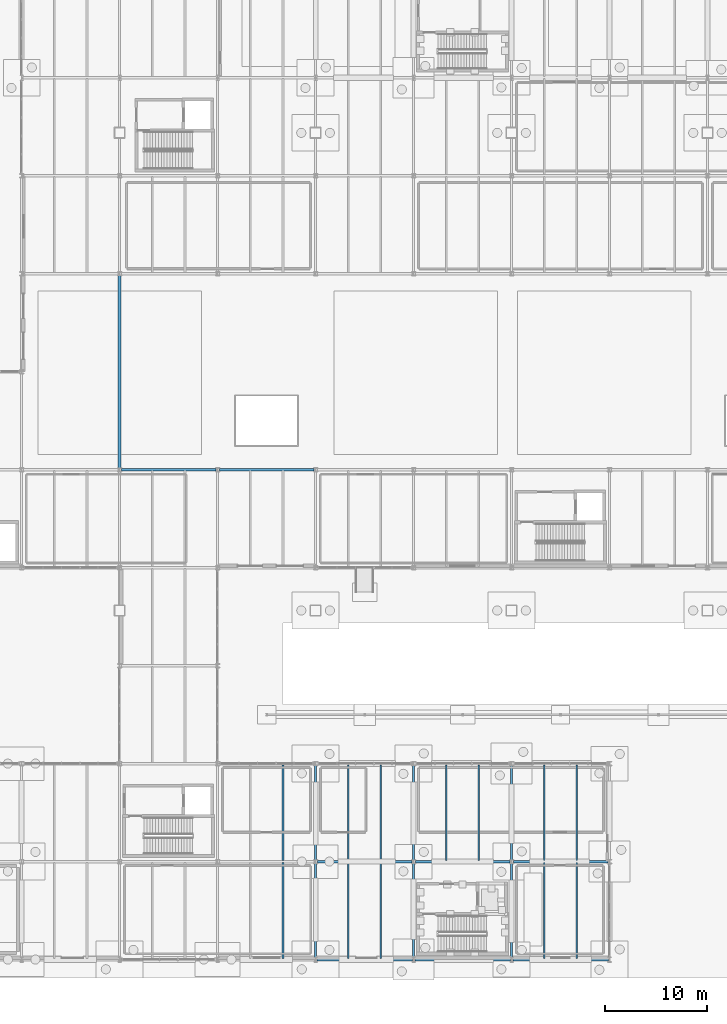
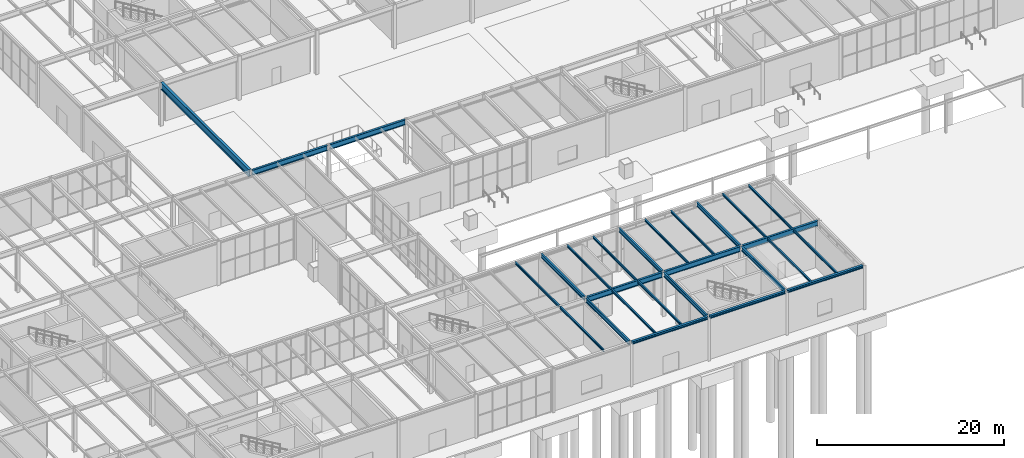
# One storey, part 60 of 142: 27 beams.
"""IFC4 building model written with IfcOpenShell, lengths in metres."""

from ifc_helpers import new_model, si_unit, direction, frame, origin, origin_2d, place, context, subcontext, project, spatial, i_section, extrude, material, material_profile, profile_set, type_object, element, save


model = new_model("IFC4")

# Units and contexts
model_context = context("Model", 3, precision=1e-05, world=origin(), true_north=direction((0.0, 1.0)))
body_context = subcontext(model_context, "Body", "Model", "MODEL_VIEW")
ifc_project = project(units=[si_unit("LENGTHUNIT", "METRE"), si_unit("AREAUNIT", "SQUARE_METRE"), si_unit("VOLUMEUNIT", "CUBIC_METRE"), si_unit("PLANEANGLEUNIT", "RADIAN"), si_unit("MASSUNIT", "GRAM", prefix="KILO")], contexts=[model_context])

# Site, building, storey
site_placement = place(None, origin())
site = spatial("IfcSite", under=ifc_project, at=site_placement, CompositionType="ELEMENT")
building_placement = place(site_placement, origin())
building = spatial("IfcBuilding", under=site, at=building_placement, Name="Coralgate Yard Interchange", CompositionType="ELEMENT")
storey_placement = place(building_placement, origin())
storey = spatial("IfcBuildingStorey", under=building, at=storey_placement, Name="L00", CompositionType="ELEMENT", Elevation=0.0)

# Beams
ifc_material = material(Name="Structural steel S355J2", Category="steel")
ifc_material_profile_1 = material_profile(ifc_material, i_section(OverallWidth=0.209228515625, OverallDepth=0.533203125, WebThickness=0.010009765625, FlangeThickness=0.015625, FilletRadius=0.0126953125, at=origin_2d()), Name="UB 533x210x92")
ifc_profile_set_1 = profile_set([ifc_material_profile_1], Name="Structural steel S355J2")
beam_type_1 = type_object("IfcBeamType", Name="BM-SB-1", PredefinedType="BEAM", material=ifc_profile_set_1)
beam_1_placement = place(storey_placement, frame((67.199951171875, 0.219970703125, 5.4833984375), z_axis=(0.0, 1.0, 0.0), x_axis=(-1.0, 0.0, 0.0)))
element("IfcBeam", 1, at=beam_1_placement, inside=storey, type_object=beam_type_1, Name="L00 primary grid girder X7 Y0-1", PredefinedType="BEAM", context=body_context, shape_type="SweptSolid", body=[
    extrude(i_section(OverallWidth=0.209228515625, OverallDepth=0.533203125, WebThickness=0.010009765625, FlangeThickness=0.015625, FilletRadius=0.0126953125, at=origin_2d()), origin(), (0.0, 0.0, 1.0), 9.213134765625),
])
beam_2_placement = place(storey_placement, frame((67.199951171875, 9.766845703125, 5.4833984375), z_axis=(0.0, 1.0, 0.0), x_axis=(-1.0, 0.0, 0.0)))
element("IfcBeam", 2, at=beam_2_placement, inside=storey, type_object=beam_type_1, Name="L00 primary grid girder X7 Y1-2", PredefinedType="BEAM", context=body_context, shape_type="SweptSolid", body=[
    extrude(i_section(OverallWidth=0.209228515625, OverallDepth=0.533203125, WebThickness=0.010009765625, FlangeThickness=0.015625, FilletRadius=0.0126953125, at=origin_2d()), origin(), (0.0, 0.0, 1.0), 9.266357421875),
])
beam_3_placement = place(storey_placement, frame((76.800048828125, 0.219970703125, 5.4833984375), z_axis=(0.0, 1.0, 0.0), x_axis=(-1.0, 0.0, 0.0)))
element("IfcBeam", 3, at=beam_3_placement, inside=storey, type_object=beam_type_1, Name="L00 primary grid girder X8 Y0-1", PredefinedType="BEAM", context=body_context, shape_type="SweptSolid", body=[
    extrude(i_section(OverallWidth=0.209228515625, OverallDepth=0.533203125, WebThickness=0.010009765625, FlangeThickness=0.015625, FilletRadius=0.0126953125, at=origin_2d()), origin(), (0.0, 0.0, 1.0), 9.213134765625),
])
beam_4_placement = place(storey_placement, frame((76.800048828125, 9.766845703125, 5.4833984375), z_axis=(0.0, 1.0, 0.0), x_axis=(-1.0, 0.0, 0.0)))
element("IfcBeam", 4, at=beam_4_placement, inside=storey, type_object=beam_type_1, Name="L00 primary grid girder X8 Y1-2", PredefinedType="BEAM", context=body_context, shape_type="SweptSolid", body=[
    extrude(i_section(OverallWidth=0.209228515625, OverallDepth=0.533203125, WebThickness=0.010009765625, FlangeThickness=0.015625, FilletRadius=0.0126953125, at=origin_2d()), origin(), (0.0, 0.0, 1.0), 9.266357421875),
])
beam_5_placement = place(storey_placement, frame((86.39990234375, 0.219970703125, 5.4833984375), z_axis=(0.0, 1.0, 0.0), x_axis=(-1.0, 0.0, 0.0)))
element("IfcBeam", 5, at=beam_5_placement, inside=storey, type_object=beam_type_1, Name="L00 primary grid girder X9 Y0-1", PredefinedType="BEAM", context=body_context, shape_type="SweptSolid", body=[
    extrude(i_section(OverallWidth=0.209228515625, OverallDepth=0.533203125, WebThickness=0.010009765625, FlangeThickness=0.015625, FilletRadius=0.0126953125, at=origin_2d()), origin(), (0.0, 0.0, 1.0), 9.213134765625),
])
beam_6_placement = place(storey_placement, frame((86.39990234375, 9.766845703125, 5.4833984375), z_axis=(0.0, 1.0, 0.0), x_axis=(-1.0, 0.0, 0.0)))
element("IfcBeam", 6, at=beam_6_placement, inside=storey, type_object=beam_type_1, Name="L00 primary grid girder X9 Y1-2", PredefinedType="BEAM", context=body_context, shape_type="SweptSolid", body=[
    extrude(i_section(OverallWidth=0.209228515625, OverallDepth=0.533203125, WebThickness=0.010009765625, FlangeThickness=0.015625, FilletRadius=0.0126953125, at=origin_2d()), origin(), (0.0, 0.0, 1.0), 9.266357421875),
])
ifc_material_profile_2 = material_profile(ifc_material, i_section(OverallWidth=0.305419921875, OverallDepth=0.91845703125, WebThickness=0.017333984375, FlangeThickness=0.02783203125, FilletRadius=0.01904296875, at=origin_2d()), Name="UB 914x305x253")
ifc_profile_set_2 = profile_set([ifc_material_profile_2], Name="Structural steel S355J2")
beam_type_2 = type_object("IfcBeamType", Name="BM-SG-1", PredefinedType="BEAM", material=ifc_profile_set_2)
beam_7_placement = place(storey_placement, frame((48.0, 48.166748046875, 5.290771484375), z_axis=(0.0, 1.0, 0.0), x_axis=(-1.0, 0.0, 0.0)))
element("IfcBeam", 7, at=beam_7_placement, inside=storey, type_object=beam_type_2, Name="L00 primary grid girder X5 Y5-7", PredefinedType="BEAM", context=body_context, shape_type="SweptSolid", body=[
    extrude(i_section(OverallWidth=0.305419921875, OverallDepth=0.91845703125, WebThickness=0.017333984375, FlangeThickness=0.02783203125, FilletRadius=0.01904296875, at=origin_2d()), origin(), (0.0, 0.0, 1.0), 18.866455078125),
])
ifc_material_profile_3 = material_profile(ifc_material, i_section(OverallWidth=0.253662109375, OverallDepth=0.68359375, WebThickness=0.012451171875, FlangeThickness=0.01904296875, FilletRadius=0.01513671875, at=origin_2d()), Name="UB 686x254x140")
ifc_profile_set_3 = profile_set([ifc_material_profile_3], Name="Structural steel S355J2")
beam_type_3 = type_object("IfcBeamType", Name="BM-SG-4", PredefinedType="BEAM", material=ifc_profile_set_3)
beam_8_placement = place(storey_placement, frame((67.369384765625, 9.60009765625, 5.408203125), z_axis=(1.0, 0.0, 0.0), x_axis=(0.0, 1.0, 0.0)))
element("IfcBeam", 8, at=beam_8_placement, inside=storey, type_object=beam_type_3, Name="L00 primary grid beam Y1 X7-8", PredefinedType="BEAM", context=body_context, shape_type="SweptSolid", body=[
    extrude(i_section(OverallWidth=0.253662109375, OverallDepth=0.68359375, WebThickness=0.012451171875, FlangeThickness=0.01904296875, FilletRadius=0.01513671875, at=origin_2d()), origin(), (0.0, 0.0, 1.0), 9.26123046875),
])
for number, where, z_axis, x_axis, name in (
    (9, (76.969482421875, 9.60009765625, 5.408203125), (1.0, 0.0, 0.0), (0.0, 1.0, 0.0), "L00 primary grid beam Y1 X8-9"),
    (10, (86.569580078125, 9.60009765625, 5.408203125), (1.0, 0.0, 0.0), (0.0, 1.0, 0.0), "L00 primary grid beam Y1 X9-10"),
    (11, (48.16943359375, 48.0, 5.408203125), (1.0, 0.0, 0.0), (0.0, 1.0, 0.0), "L00 primary grid beam Y5 X5-6"),
    (12, (57.76953125, 48.0, 5.408203125), (1.0, 0.0, 0.0), (0.0, 1.0, 0.0), "L00 primary grid beam Y5 X6-7"),
):
    element("IfcBeam", number, at=place(storey_placement, frame(where, z_axis=z_axis, x_axis=x_axis)), inside=storey, type_object=beam_type_3, Name=name, PredefinedType="BEAM", context=body_context, shape_type="SweptSolid", body=[
        extrude(i_section(OverallWidth=0.253662109375, OverallDepth=0.68359375, WebThickness=0.012451171875, FlangeThickness=0.01904296875, FilletRadius=0.01513671875, at=origin_2d()), origin(), (0.0, 0.0, 1.0), 9.260986328125),
    ])
ifc_material_profile_4 = material_profile(ifc_material, i_section(OverallWidth=0.1650390625, OverallDepth=0.303466796875, WebThickness=0.006103515625, FlangeThickness=0.01025390625, FilletRadius=0.0087890625, at=origin_2d()), Name="UB 305x165x40")
ifc_profile_set_4 = profile_set([ifc_material_profile_4], Name="Structural steel S355J2")
beam_type_4 = type_object("IfcBeamType", Name="BM-SJ-1", PredefinedType="JOIST", material=ifc_profile_set_4)
beam_9_placement = place(storey_placement, frame((64.0, 0.1201171875, 5.598388671875), z_axis=(0.0, 1.0, 0.0), x_axis=(-1.0, 0.0, 0.0)))
element("IfcBeam", 13, at=beam_9_placement, inside=storey, type_object=beam_type_4, Name="L00 composite floor joist 6-0-2", PredefinedType="JOIST", context=body_context, shape_type="SweptSolid", body=[
    extrude(i_section(OverallWidth=0.1650390625, OverallDepth=0.303466796875, WebThickness=0.006103515625, FlangeThickness=0.01025390625, FilletRadius=0.0087890625, at=origin_2d()), origin(), (0.0, 0.0, 1.0), 9.383056640625),
])
beam_10_placement = place(storey_placement, frame((64.0, 9.69677734375, 5.598388671875), z_axis=(0.0, 1.0, 0.0), x_axis=(-1.0, 0.0, 0.0)))
element("IfcBeam", 14, at=beam_10_placement, inside=storey, type_object=beam_type_4, Name="L00 composite floor joist 6-1-2", PredefinedType="JOIST", context=body_context, shape_type="SweptSolid", body=[
    extrude(i_section(OverallWidth=0.1650390625, OverallDepth=0.303466796875, WebThickness=0.006103515625, FlangeThickness=0.01025390625, FilletRadius=0.0087890625, at=origin_2d()), origin(), (0.0, 0.0, 1.0), 9.38330078125),
])
for number, where, z_axis, x_axis, name in (
    (15, (70.39990234375, 0.1201171875, 5.598388671875), (0.0, 1.0, 0.0), (-1.0, 0.0, 0.0), "L00 composite floor joist 7-0-1"),
    (16, (73.60009765625, 0.1201171875, 5.598388671875), (0.0, 1.0, 0.0), (-1.0, 0.0, 0.0), "L00 composite floor joist 7-0-2"),
):
    element("IfcBeam", number, at=place(storey_placement, frame(where, z_axis=z_axis, x_axis=x_axis)), inside=storey, type_object=beam_type_4, Name=name, PredefinedType="JOIST", context=body_context, shape_type="SweptSolid", body=[
        extrude(i_section(OverallWidth=0.1650390625, OverallDepth=0.303466796875, WebThickness=0.006103515625, FlangeThickness=0.01025390625, FilletRadius=0.0087890625, at=origin_2d()), origin(), (0.0, 0.0, 1.0), 9.383056640625),
    ])
for number, where, z_axis, x_axis, name in (
    (17, (70.39990234375, 9.69677734375, 5.598388671875), (0.0, 1.0, 0.0), (-1.0, 0.0, 0.0), "L00 composite floor joist 7-1-1"),
    (18, (73.60009765625, 9.69677734375, 5.598388671875), (0.0, 1.0, 0.0), (-1.0, 0.0, 0.0), "L00 composite floor joist 7-1-2"),
    (19, (80.0, 9.69677734375, 5.598388671875), (0.0, 1.0, 0.0), (-1.0, 0.0, 0.0), "L00 composite floor joist 8-1-1"),
    (20, (83.199951171875, 9.69677734375, 5.598388671875), (0.0, 1.0, 0.0), (-1.0, 0.0, 0.0), "L00 composite floor joist 8-1-2"),
):
    element("IfcBeam", number, at=place(storey_placement, frame(where, z_axis=z_axis, x_axis=x_axis)), inside=storey, type_object=beam_type_4, Name=name, PredefinedType="JOIST", context=body_context, shape_type="SweptSolid", body=[
        extrude(i_section(OverallWidth=0.1650390625, OverallDepth=0.303466796875, WebThickness=0.006103515625, FlangeThickness=0.01025390625, FilletRadius=0.0087890625, at=origin_2d()), origin(), (0.0, 0.0, 1.0), 9.38330078125),
    ])
for number, where, z_axis, x_axis, name in (
    (21, (89.60009765625, 0.1201171875, 5.598388671875), (0.0, 1.0, 0.0), (-1.0, 0.0, 0.0), "L00 composite floor joist 9-0-1"),
    (22, (92.800048828125, 0.1201171875, 5.598388671875), (0.0, 1.0, 0.0), (-1.0, 0.0, 0.0), "L00 composite floor joist 9-0-2"),
):
    element("IfcBeam", number, at=place(storey_placement, frame(where, z_axis=z_axis, x_axis=x_axis)), inside=storey, type_object=beam_type_4, Name=name, PredefinedType="JOIST", context=body_context, shape_type="SweptSolid", body=[
        extrude(i_section(OverallWidth=0.1650390625, OverallDepth=0.303466796875, WebThickness=0.006103515625, FlangeThickness=0.01025390625, FilletRadius=0.0087890625, at=origin_2d()), origin(), (0.0, 0.0, 1.0), 9.383056640625),
    ])
for number, where, z_axis, x_axis, name in (
    (23, (89.60009765625, 9.69677734375, 5.598388671875), (0.0, 1.0, 0.0), (-1.0, 0.0, 0.0), "L00 composite floor joist 9-1-1"),
    (24, (92.800048828125, 9.69677734375, 5.598388671875), (0.0, 1.0, 0.0), (-1.0, 0.0, 0.0), "L00 composite floor joist 9-1-2"),
):
    element("IfcBeam", number, at=place(storey_placement, frame(where, z_axis=z_axis, x_axis=x_axis)), inside=storey, type_object=beam_type_4, Name=name, PredefinedType="JOIST", context=body_context, shape_type="SweptSolid", body=[
        extrude(i_section(OverallWidth=0.1650390625, OverallDepth=0.303466796875, WebThickness=0.006103515625, FlangeThickness=0.01025390625, FilletRadius=0.0087890625, at=origin_2d()), origin(), (0.0, 0.0, 1.0), 9.38330078125),
    ])
ifc_material_profile_5 = material_profile(ifc_material, i_section(OverallWidth=0.300048828125, OverallDepth=0.35009765625, WebThickness=0.010009765625, FlangeThickness=0.017578125, FilletRadius=0.027099609375, at=origin_2d()), Name="HEA 360")
ifc_profile_set_5 = profile_set([ifc_material_profile_5], Name="Structural steel S355J2")
beam_type_5 = type_object("IfcBeamType", Name="BM-SP-1", PredefinedType="SPANDREL", material=ifc_profile_set_5)
beam_11_placement = place(storey_placement, frame((67.320068359375, 0.0, 5.574951171875), z_axis=(1.0, 0.0, 0.0), x_axis=(0.0, 1.0, 0.0)))
element("IfcBeam", 25, at=beam_11_placement, inside=storey, type_object=beam_type_5, Name="L00 primary grid beam Y0 X7-8", PredefinedType="SPANDREL", context=body_context, shape_type="SweptSolid", body=[
    extrude(i_section(OverallWidth=0.300048828125, OverallDepth=0.35009765625, WebThickness=0.010009765625, FlangeThickness=0.017578125, FilletRadius=0.027099609375, at=origin_2d()), origin(), (0.0, 0.0, 1.0), 9.35986328125),
])
beam_12_placement = place(storey_placement, frame((76.919921875, 0.0, 5.574951171875), z_axis=(1.0, 0.0, 0.0), x_axis=(0.0, 1.0, 0.0)))
element("IfcBeam", 26, at=beam_12_placement, inside=storey, type_object=beam_type_5, Name="L00 primary grid beam Y0 X8-9", PredefinedType="SPANDREL", context=body_context, shape_type="SweptSolid", body=[
    extrude(i_section(OverallWidth=0.300048828125, OverallDepth=0.35009765625, WebThickness=0.010009765625, FlangeThickness=0.017578125, FilletRadius=0.027099609375, at=origin_2d()), origin(), (0.0, 0.0, 1.0), 9.360107421875),
])
beam_13_placement = place(storey_placement, frame((86.52001953125, 0.0, 5.574951171875), z_axis=(1.0, 0.0, 0.0), x_axis=(0.0, 1.0, 0.0)))
element("IfcBeam", 27, at=beam_13_placement, inside=storey, type_object=beam_type_5, Name="L00 primary grid beam Y0 X9-10", PredefinedType="SPANDREL", context=body_context, shape_type="SweptSolid", body=[
    extrude(i_section(OverallWidth=0.300048828125, OverallDepth=0.35009765625, WebThickness=0.010009765625, FlangeThickness=0.017578125, FilletRadius=0.027099609375, at=origin_2d()), origin(), (0.0, 0.0, 1.0), 9.35986328125),
])

save(model, "model.ifc")
